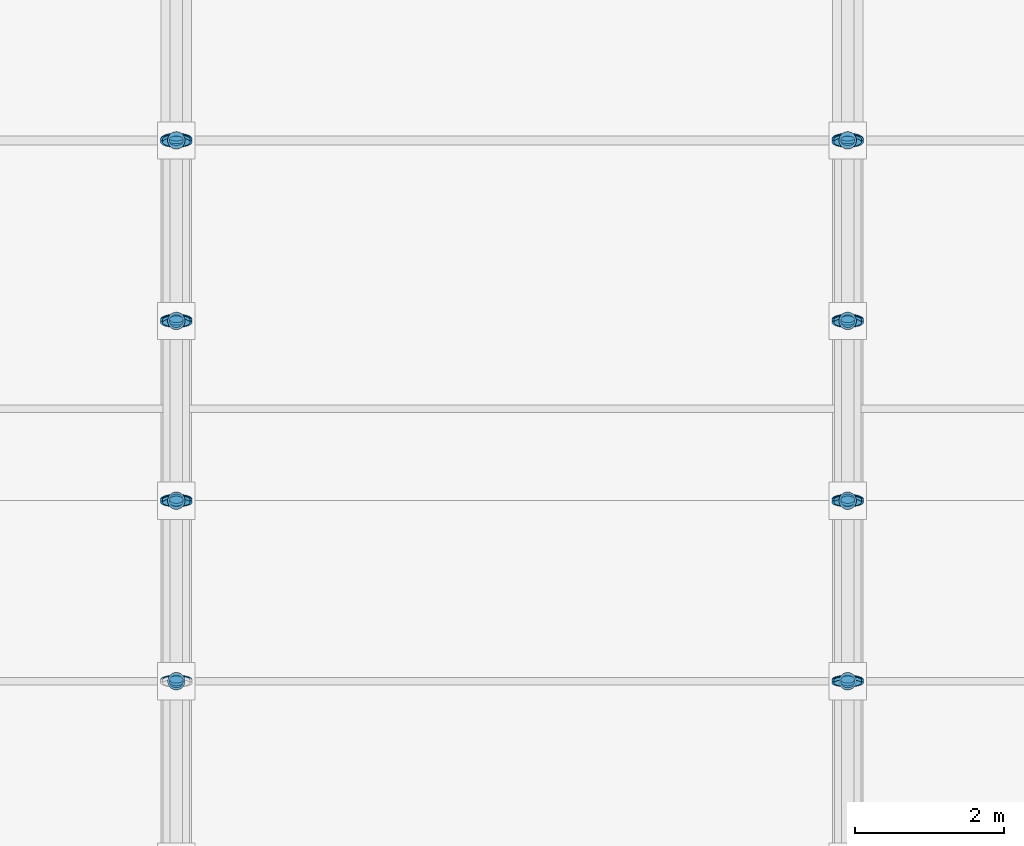
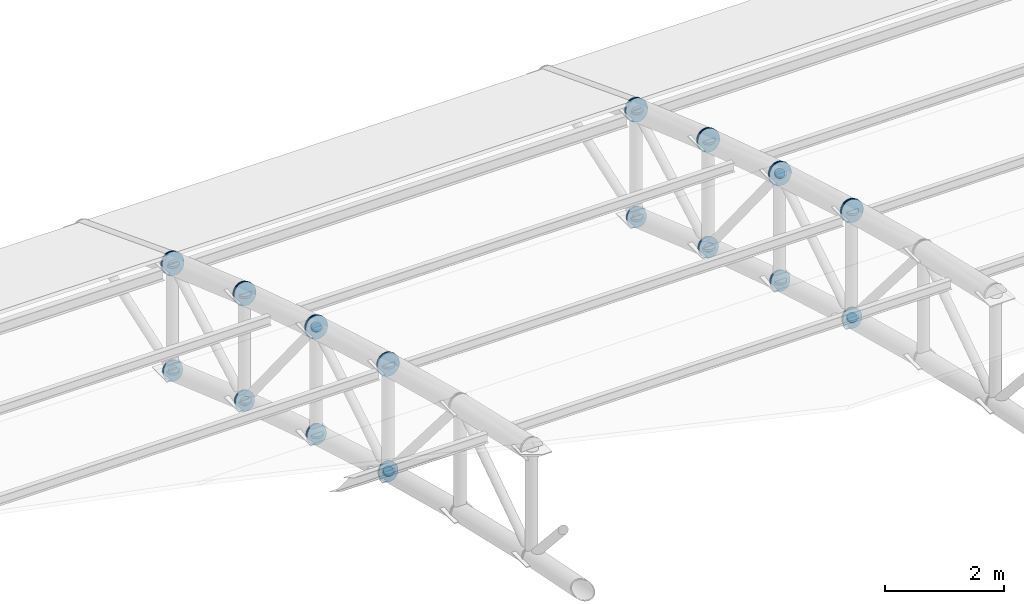
# One storey, part 160 of 195: 60 discrete accessories.
"""IFC4 building model written with IfcOpenShell, lengths in metres."""

from ifc_helpers import new_model, si_unit, direction, frame, origin, origin_2d, place, context, subcontext, project, spatial, circle, extrude, material, element, save


model = new_model("IFC4")

# Units and contexts
model_context = context("Model", 3, precision=1e-05, world=origin(), true_north=direction((0.0, 1.0)))
body_context = subcontext(model_context, "Body", "Model", "MODEL_VIEW")
ifc_project = project(units=[si_unit("LENGTHUNIT", "METRE"), si_unit("AREAUNIT", "SQUARE_METRE"), si_unit("VOLUMEUNIT", "CUBIC_METRE"), si_unit("PLANEANGLEUNIT", "RADIAN"), si_unit("MASSUNIT", "GRAM", prefix="KILO")], contexts=[model_context])

# Site, building, storey
site_placement = place(None, origin())
site = spatial("IfcSite", under=ifc_project, at=site_placement, CompositionType="ELEMENT")
building_placement = place(site_placement, origin())
building = spatial("IfcBuilding", under=site, at=building_placement, Name="Marlcrest Central Station", CompositionType="ELEMENT")
storey_placement = place(building_placement, frame((0.0, 0.0, 9.800048828125)))
storey = spatial("IfcBuildingStorey", under=building, at=storey_placement, Name="L02", CompositionType="ELEMENT", Elevation=9.800048828125)

# Discrete accessories
ifc_material = material(Name="Steel S355", Category="steel")
discrete_accessory_1_placement = place(storey_placement, frame((180.0, 88.233642578125, 1.7470703125), z_axis=(0.0, 0.649624779144, -0.760254987699), x_axis=(-1.0, 0.0, 0.0)))
element("IfcDiscreteAccessory", 1, at=discrete_accessory_1_placement, inside=storey, material=ifc_material, Name="endcap-mem-AD-01-L02-01639-e", ObjectType="END_CAP_PLATE", PredefinedType="BRACKET", context=body_context, shape_type="SweptSolid", body=[
    extrude(circle(Radius=0.092041015625, at=origin_2d()), origin(), (0.0, 0.0, 1.0), 0.0400390625),
])
for number, where, z_axis, x_axis, name in (
    (2, (180.0, 88.235595703125, 3.93212890625), (0.0, 0.960130083362, -0.27955361386), (-1.0, 0.0, 0.0), "endcap-mem-AC-01-L02-01640-s"),
    (3, (180.0, 90.64599609375, 3.23046875), (0.0, 0.960130083362, -0.27955361386), (-1.0, 0.0, 0.0), "endcap-mem-AC-01-L02-01640-e"),
):
    element("IfcDiscreteAccessory", number, at=place(storey_placement, frame(where, z_axis=z_axis, x_axis=x_axis)), inside=storey, material=ifc_material, Name=name, ObjectType="END_CAP_PLATE", PredefinedType="BRACKET", context=body_context, shape_type="SweptSolid", body=[
        extrude(circle(Radius=0.211181640625, at=origin_2d()), origin(), (0.0, 0.0, 1.0), 0.0400390625),
    ])
for number, where, z_axis, x_axis, name in (
    (4, (180.0, 88.235595703125, 1.732177734375), (0.0, 0.960130083362, -0.27955361386), (-1.0, 0.0, 0.0), "endcap-mem-AC-02-L02-01641-s"),
    (5, (180.0, 90.64599609375, 1.030517578125), (0.0, 0.960130083362, -0.27955361386), (-1.0, 0.0, 0.0), "endcap-mem-AC-02-L02-01641-e"),
):
    element("IfcDiscreteAccessory", number, at=place(storey_placement, frame(where, z_axis=z_axis, x_axis=x_axis)), inside=storey, material=ifc_material, Name=name, ObjectType="END_CAP_PLATE", PredefinedType="BRACKET", context=body_context, shape_type="SweptSolid", body=[
        extrude(circle(Radius=0.185791015625, at=origin_2d()), origin(), (0.0, 0.0, 1.0), 0.0400390625),
    ])
for number, where, z_axis, x_axis, name in (
    (6, (180.0, 88.25, 1.713134765625), (0.0, 0.0, 1.0), (1.0, 0.0, 0.0), "endcap-mem-AP-01-L02-01642-s"),
    (7, (180.0, 88.25, 3.903076171875), (0.0, 0.0, 1.0), (1.0, 0.0, 0.0), "endcap-mem-AP-01-L02-01642-e"),
):
    element("IfcDiscreteAccessory", number, at=place(storey_placement, frame(where, z_axis=z_axis, x_axis=x_axis)), inside=storey, material=ifc_material, Name=name, ObjectType="END_CAP_PLATE", PredefinedType="BRACKET", context=body_context, shape_type="SweptSolid", body=[
        extrude(circle(Radius=0.117431640625, at=origin_2d()), origin(), (0.0, 0.0, 1.0), 0.0400390625),
    ])
for number, where, z_axis, x_axis, name in (
    (8, (180.0, 88.2373046875, 1.72021484375), (0.0, 0.850687380038, 0.525671933286), (-1.0, 0.0, 0.0), "endcap-mem-AD-01-L02-01643-s"),
    (9, (180.0, 90.648681640625, 3.210205078125), (0.0, 0.850687380038, 0.525671933286), (-1.0, 0.0, 0.0), "endcap-mem-AD-01-L02-01643-e"),
):
    element("IfcDiscreteAccessory", number, at=place(storey_placement, frame(where, z_axis=z_axis, x_axis=x_axis)), inside=storey, material=ifc_material, Name=name, ObjectType="END_CAP_PLATE", PredefinedType="BRACKET", context=body_context, shape_type="SweptSolid", body=[
        extrude(circle(Radius=0.092041015625, at=origin_2d()), origin(), (0.0, 0.0, 1.0), 0.0400390625),
    ])
for number, where, z_axis, x_axis, name in (
    (10, (180.0, 90.65576171875, 3.22802734375), (0.0, 0.952116828449, -0.305734435391), (-1.0, 0.0, 0.0), "endcap-mem-AC-01-L02-01644-s"),
    (11, (180.0, 93.056396484375, 2.45703125), (0.0, 0.952116828449, -0.305734435391), (-1.0, 0.0, 0.0), "endcap-mem-AC-01-L02-01644-e"),
):
    element("IfcDiscreteAccessory", number, at=place(storey_placement, frame(where, z_axis=z_axis, x_axis=x_axis)), inside=storey, material=ifc_material, Name=name, ObjectType="END_CAP_PLATE", PredefinedType="BRACKET", context=body_context, shape_type="SweptSolid", body=[
        extrude(circle(Radius=0.211181640625, at=origin_2d()), origin(), (0.0, 0.0, 1.0), 0.0400390625),
    ])
for number, where, z_axis, x_axis, name in (
    (12, (180.0, 90.65576171875, 1.028076171875), (0.0, 0.952116828449, -0.305734435391), (-1.0, 0.0, 0.0), "endcap-mem-AC-02-L02-01645-s"),
    (13, (180.0, 93.056396484375, 0.257080078125), (0.0, 0.952116828449, -0.305734435391), (-1.0, 0.0, 0.0), "endcap-mem-AC-02-L02-01645-e"),
):
    element("IfcDiscreteAccessory", number, at=place(storey_placement, frame(where, z_axis=z_axis, x_axis=x_axis)), inside=storey, material=ifc_material, Name=name, ObjectType="END_CAP_PLATE", PredefinedType="BRACKET", context=body_context, shape_type="SweptSolid", body=[
        extrude(circle(Radius=0.185791015625, at=origin_2d()), origin(), (0.0, 0.0, 1.0), 0.0400390625),
    ])
for number, where, z_axis, x_axis, name in (
    (14, (180.0, 90.669921875, 1.008544921875), (0.0, 0.0, 1.0), (1.0, 0.0, 0.0), "endcap-mem-AP-01-L02-01646-s"),
    (15, (180.0, 90.669921875, 3.198486328125), (0.0, 0.0, 1.0), (1.0, 0.0, 0.0), "endcap-mem-AP-01-L02-01646-e"),
):
    element("IfcDiscreteAccessory", number, at=place(storey_placement, frame(where, z_axis=z_axis, x_axis=x_axis)), inside=storey, material=ifc_material, Name=name, ObjectType="END_CAP_PLATE", PredefinedType="BRACKET", context=body_context, shape_type="SweptSolid", body=[
        extrude(circle(Radius=0.117431640625, at=origin_2d()), origin(), (0.0, 0.0, 1.0), 0.0400390625),
    ])
for number, where, z_axis, x_axis, name in (
    (16, (180.0, 90.660400390625, 3.235107421875), (0.0, 0.62962929743, -0.776895712318), (-1.0, 0.0, 0.0), "endcap-mem-AD-01-L02-01647-s"),
    (17, (180.0, 93.064453125, 0.26904296875), (0.0, 0.62962929743, -0.776895712318), (-1.0, 0.0, 0.0), "endcap-mem-AD-01-L02-01647-e"),
):
    element("IfcDiscreteAccessory", number, at=place(storey_placement, frame(where, z_axis=z_axis, x_axis=x_axis)), inside=storey, material=ifc_material, Name=name, ObjectType="END_CAP_PLATE", PredefinedType="BRACKET", context=body_context, shape_type="SweptSolid", body=[
        extrude(circle(Radius=0.092041015625, at=origin_2d()), origin(), (0.0, 0.0, 1.0), 0.0400390625),
    ])
for number, where, z_axis, x_axis, name in (
    (18, (180.0, 93.06591796875, 2.454345703125), (0.0, 0.94353735649, -0.331266142109), (-1.0, 0.0, 0.0), "endcap-mem-AC-01-L02-01648-s"),
    (19, (180.0, 95.476318359375, 1.608154296875), (0.0, 0.94353735649, -0.331266142109), (-1.0, 0.0, 0.0), "endcap-mem-AC-01-L02-01648-e"),
):
    element("IfcDiscreteAccessory", number, at=place(storey_placement, frame(where, z_axis=z_axis, x_axis=x_axis)), inside=storey, material=ifc_material, Name=name, ObjectType="END_CAP_PLATE", PredefinedType="BRACKET", context=body_context, shape_type="SweptSolid", body=[
        extrude(circle(Radius=0.211181640625, at=origin_2d()), origin(), (0.0, 0.0, 1.0), 0.0400390625),
    ])
for number, where, z_axis, x_axis, name in (
    (20, (180.0, 93.06591796875, 0.25439453125), (0.0, 0.94353735649, -0.331266142109), (-1.0, 0.0, 0.0), "endcap-mem-AC-02-L02-01649-s"),
    (21, (180.0, 95.476318359375, -0.591796875), (0.0, 0.94353735649, -0.331266142109), (-1.0, 0.0, 0.0), "endcap-mem-AC-02-L02-01649-e"),
):
    element("IfcDiscreteAccessory", number, at=place(storey_placement, frame(where, z_axis=z_axis, x_axis=x_axis)), inside=storey, material=ifc_material, Name=name, ObjectType="END_CAP_PLATE", PredefinedType="BRACKET", context=body_context, shape_type="SweptSolid", body=[
        extrude(circle(Radius=0.185791015625, at=origin_2d()), origin(), (0.0, 0.0, 1.0), 0.0400390625),
    ])
for number, where, z_axis, x_axis, name in (
    (22, (180.0, 93.080078125, 0.234619140625), (0.0, 0.0, 1.0), (1.0, 0.0, 0.0), "endcap-mem-AP-01-L02-01650-s"),
    (23, (180.0, 93.080078125, 2.424560546875), (0.0, 0.0, 1.0), (1.0, 0.0, 0.0), "endcap-mem-AP-01-L02-01650-e"),
):
    element("IfcDiscreteAccessory", number, at=place(storey_placement, frame(where, z_axis=z_axis, x_axis=x_axis)), inside=storey, material=ifc_material, Name=name, ObjectType="END_CAP_PLATE", PredefinedType="BRACKET", context=body_context, shape_type="SweptSolid", body=[
        extrude(circle(Radius=0.117431640625, at=origin_2d()), origin(), (0.0, 0.0, 1.0), 0.0400390625),
    ])
for number, where, z_axis, x_axis, name in (
    (24, (180.0, 93.06689453125, 0.2421875), (0.0, 0.873245653167, 0.487280236851), (-1.0, 0.0, 0.0), "endcap-mem-AD-01-L02-01651-s"),
    (25, (180.0, 95.478271484375, 1.587646484375), (0.0, 0.873245653167, 0.487280236851), (-1.0, 0.0, 0.0), "endcap-mem-AD-01-L02-01651-e"),
):
    element("IfcDiscreteAccessory", number, at=place(storey_placement, frame(where, z_axis=z_axis, x_axis=x_axis)), inside=storey, material=ifc_material, Name=name, ObjectType="END_CAP_PLATE", PredefinedType="BRACKET", context=body_context, shape_type="SweptSolid", body=[
        extrude(circle(Radius=0.092041015625, at=origin_2d()), origin(), (0.0, 0.0, 1.0), 0.0400390625),
    ])
discrete_accessory_2_placement = place(storey_placement, frame((180.0, 95.486083984375, 1.605224609375), z_axis=(0.0, 0.933324071143, -0.359035065453), x_axis=(-1.0, 0.0, 0.0)))
element("IfcDiscreteAccessory", 26, at=discrete_accessory_2_placement, inside=storey, material=ifc_material, Name="endcap-mem-AC-01-L02-01652-s", ObjectType="END_CAP_PLATE", PredefinedType="BRACKET", context=body_context, shape_type="SweptSolid", body=[
    extrude(circle(Radius=0.211181640625, at=origin_2d()), origin(), (0.0, 0.0, 1.0), 0.0400390625),
])
for number, where, z_axis, x_axis, name in (
    (27, (180.0, 95.5, -0.614990234375), (0.0, 0.0, 1.0), (1.0, 0.0, 0.0), "endcap-mem-AP-01-L02-01653-s"),
    (28, (180.0, 95.5, 1.574951171875), (0.0, 0.0, 1.0), (1.0, 0.0, 0.0), "endcap-mem-AP-01-L02-01653-e"),
):
    element("IfcDiscreteAccessory", number, at=place(storey_placement, frame(where, z_axis=z_axis, x_axis=x_axis)), inside=storey, material=ifc_material, Name=name, ObjectType="END_CAP_PLATE", PredefinedType="BRACKET", context=body_context, shape_type="SweptSolid", body=[
        extrude(circle(Radius=0.117431640625, at=origin_2d()), origin(), (0.0, 0.0, 1.0), 0.0400390625),
    ])
discrete_accessory_3_placement = place(storey_placement, frame((180.0, 95.48583984375, -0.60498046875), z_axis=(0.0, 0.944260188635, 0.329200085296), x_axis=(-1.0, 0.0, 0.0)))
element("IfcDiscreteAccessory", 29, at=discrete_accessory_3_placement, inside=storey, material=ifc_material, Name="endcap-mem-AD-01-L02-01654-s", ObjectType="END_CAP_PLATE", PredefinedType="BRACKET", context=body_context, shape_type="SweptSolid", body=[
    extrude(circle(Radius=0.092041015625, at=origin_2d()), origin(), (0.0, 0.0, 1.0), 0.0400390625),
])
discrete_accessory_4_placement = place(storey_placement, frame((189.0, 88.225830078125, 3.934326171875), z_axis=(0.0, 0.967539481681, -0.252719906989), x_axis=(-1.0, 0.0, 0.0)))
element("IfcDiscreteAccessory", 30, at=discrete_accessory_4_placement, inside=storey, material=ifc_material, Name="endcap-mem-AC-01-L02-01752-e", ObjectType="END_CAP_PLATE", PredefinedType="BRACKET", context=body_context, shape_type="SweptSolid", body=[
    extrude(circle(Radius=0.211181640625, at=origin_2d()), origin(), (0.0, 0.0, 1.0), 0.0400390625),
])
discrete_accessory_5_placement = place(storey_placement, frame((189.0, 88.225830078125, 1.734375), z_axis=(0.0, 0.967563345928, -0.252628524946), x_axis=(-1.0, 0.0, 0.0)))
element("IfcDiscreteAccessory", 31, at=discrete_accessory_5_placement, inside=storey, material=ifc_material, Name="endcap-mem-AC-02-L02-01753-e", ObjectType="END_CAP_PLATE", PredefinedType="BRACKET", context=body_context, shape_type="SweptSolid", body=[
    extrude(circle(Radius=0.185791015625, at=origin_2d()), origin(), (0.0, 0.0, 1.0), 0.0400390625),
])
discrete_accessory_6_placement = place(storey_placement, frame((189.0, 88.233642578125, 1.7470703125), z_axis=(0.0, 0.649624779144, -0.760254987699), x_axis=(-1.0, 0.0, 0.0)))
element("IfcDiscreteAccessory", 32, at=discrete_accessory_6_placement, inside=storey, material=ifc_material, Name="endcap-mem-AD-01-L02-01755-e", ObjectType="END_CAP_PLATE", PredefinedType="BRACKET", context=body_context, shape_type="SweptSolid", body=[
    extrude(circle(Radius=0.092041015625, at=origin_2d()), origin(), (0.0, 0.0, 1.0), 0.0400390625),
])
for number, where, z_axis, x_axis, name in (
    (33, (189.0, 88.235595703125, 3.93212890625), (0.0, 0.960130083362, -0.27955361386), (-1.0, 0.0, 0.0), "endcap-mem-AC-01-L02-01756-s"),
    (34, (189.0, 90.64599609375, 3.23046875), (0.0, 0.960130083362, -0.27955361386), (-1.0, 0.0, 0.0), "endcap-mem-AC-01-L02-01756-e"),
):
    element("IfcDiscreteAccessory", number, at=place(storey_placement, frame(where, z_axis=z_axis, x_axis=x_axis)), inside=storey, material=ifc_material, Name=name, ObjectType="END_CAP_PLATE", PredefinedType="BRACKET", context=body_context, shape_type="SweptSolid", body=[
        extrude(circle(Radius=0.211181640625, at=origin_2d()), origin(), (0.0, 0.0, 1.0), 0.0400390625),
    ])
for number, where, z_axis, x_axis, name in (
    (35, (189.0, 88.235595703125, 1.732177734375), (0.0, 0.960130083362, -0.27955361386), (-1.0, 0.0, 0.0), "endcap-mem-AC-02-L02-01757-s"),
    (36, (189.0, 90.64599609375, 1.030517578125), (0.0, 0.960130083362, -0.27955361386), (-1.0, 0.0, 0.0), "endcap-mem-AC-02-L02-01757-e"),
):
    element("IfcDiscreteAccessory", number, at=place(storey_placement, frame(where, z_axis=z_axis, x_axis=x_axis)), inside=storey, material=ifc_material, Name=name, ObjectType="END_CAP_PLATE", PredefinedType="BRACKET", context=body_context, shape_type="SweptSolid", body=[
        extrude(circle(Radius=0.185791015625, at=origin_2d()), origin(), (0.0, 0.0, 1.0), 0.0400390625),
    ])
for number, where, z_axis, x_axis, name in (
    (37, (189.0, 88.25, 1.713134765625), (0.0, 0.0, 1.0), (1.0, 0.0, 0.0), "endcap-mem-AP-01-L02-01758-s"),
    (38, (189.0, 88.25, 3.903076171875), (0.0, 0.0, 1.0), (1.0, 0.0, 0.0), "endcap-mem-AP-01-L02-01758-e"),
):
    element("IfcDiscreteAccessory", number, at=place(storey_placement, frame(where, z_axis=z_axis, x_axis=x_axis)), inside=storey, material=ifc_material, Name=name, ObjectType="END_CAP_PLATE", PredefinedType="BRACKET", context=body_context, shape_type="SweptSolid", body=[
        extrude(circle(Radius=0.117431640625, at=origin_2d()), origin(), (0.0, 0.0, 1.0), 0.0400390625),
    ])
for number, where, z_axis, x_axis, name in (
    (39, (189.0, 88.2373046875, 1.72021484375), (0.0, 0.850687380038, 0.525671933286), (-1.0, 0.0, 0.0), "endcap-mem-AD-01-L02-01759-s"),
    (40, (189.0, 90.648681640625, 3.210205078125), (0.0, 0.850687380038, 0.525671933286), (-1.0, 0.0, 0.0), "endcap-mem-AD-01-L02-01759-e"),
):
    element("IfcDiscreteAccessory", number, at=place(storey_placement, frame(where, z_axis=z_axis, x_axis=x_axis)), inside=storey, material=ifc_material, Name=name, ObjectType="END_CAP_PLATE", PredefinedType="BRACKET", context=body_context, shape_type="SweptSolid", body=[
        extrude(circle(Radius=0.092041015625, at=origin_2d()), origin(), (0.0, 0.0, 1.0), 0.0400390625),
    ])
for number, where, z_axis, x_axis, name in (
    (41, (189.0, 90.65576171875, 3.22802734375), (0.0, 0.952116828449, -0.305734435391), (-1.0, 0.0, 0.0), "endcap-mem-AC-01-L02-01760-s"),
    (42, (189.0, 93.056396484375, 2.45703125), (0.0, 0.952116828449, -0.305734435391), (-1.0, 0.0, 0.0), "endcap-mem-AC-01-L02-01760-e"),
):
    element("IfcDiscreteAccessory", number, at=place(storey_placement, frame(where, z_axis=z_axis, x_axis=x_axis)), inside=storey, material=ifc_material, Name=name, ObjectType="END_CAP_PLATE", PredefinedType="BRACKET", context=body_context, shape_type="SweptSolid", body=[
        extrude(circle(Radius=0.211181640625, at=origin_2d()), origin(), (0.0, 0.0, 1.0), 0.0400390625),
    ])
for number, where, z_axis, x_axis, name in (
    (43, (189.0, 90.65576171875, 1.028076171875), (0.0, 0.952116828449, -0.305734435391), (-1.0, 0.0, 0.0), "endcap-mem-AC-02-L02-01761-s"),
    (44, (189.0, 93.056396484375, 0.257080078125), (0.0, 0.952116828449, -0.305734435391), (-1.0, 0.0, 0.0), "endcap-mem-AC-02-L02-01761-e"),
):
    element("IfcDiscreteAccessory", number, at=place(storey_placement, frame(where, z_axis=z_axis, x_axis=x_axis)), inside=storey, material=ifc_material, Name=name, ObjectType="END_CAP_PLATE", PredefinedType="BRACKET", context=body_context, shape_type="SweptSolid", body=[
        extrude(circle(Radius=0.185791015625, at=origin_2d()), origin(), (0.0, 0.0, 1.0), 0.0400390625),
    ])
for number, where, z_axis, x_axis, name in (
    (45, (189.0, 90.669921875, 1.008544921875), (0.0, 0.0, 1.0), (1.0, 0.0, 0.0), "endcap-mem-AP-01-L02-01762-s"),
    (46, (189.0, 90.669921875, 3.198486328125), (0.0, 0.0, 1.0), (1.0, 0.0, 0.0), "endcap-mem-AP-01-L02-01762-e"),
):
    element("IfcDiscreteAccessory", number, at=place(storey_placement, frame(where, z_axis=z_axis, x_axis=x_axis)), inside=storey, material=ifc_material, Name=name, ObjectType="END_CAP_PLATE", PredefinedType="BRACKET", context=body_context, shape_type="SweptSolid", body=[
        extrude(circle(Radius=0.117431640625, at=origin_2d()), origin(), (0.0, 0.0, 1.0), 0.0400390625),
    ])
for number, where, z_axis, x_axis, name in (
    (47, (189.0, 90.660400390625, 3.235107421875), (0.0, 0.62962929743, -0.776895712318), (-1.0, 0.0, 0.0), "endcap-mem-AD-01-L02-01763-s"),
    (48, (189.0, 93.064453125, 0.26904296875), (0.0, 0.62962929743, -0.776895712318), (-1.0, 0.0, 0.0), "endcap-mem-AD-01-L02-01763-e"),
):
    element("IfcDiscreteAccessory", number, at=place(storey_placement, frame(where, z_axis=z_axis, x_axis=x_axis)), inside=storey, material=ifc_material, Name=name, ObjectType="END_CAP_PLATE", PredefinedType="BRACKET", context=body_context, shape_type="SweptSolid", body=[
        extrude(circle(Radius=0.092041015625, at=origin_2d()), origin(), (0.0, 0.0, 1.0), 0.0400390625),
    ])
for number, where, z_axis, x_axis, name in (
    (49, (189.0, 93.06591796875, 2.454345703125), (0.0, 0.94353735649, -0.331266142109), (-1.0, 0.0, 0.0), "endcap-mem-AC-01-L02-01764-s"),
    (50, (189.0, 95.476318359375, 1.608154296875), (0.0, 0.94353735649, -0.331266142109), (-1.0, 0.0, 0.0), "endcap-mem-AC-01-L02-01764-e"),
):
    element("IfcDiscreteAccessory", number, at=place(storey_placement, frame(where, z_axis=z_axis, x_axis=x_axis)), inside=storey, material=ifc_material, Name=name, ObjectType="END_CAP_PLATE", PredefinedType="BRACKET", context=body_context, shape_type="SweptSolid", body=[
        extrude(circle(Radius=0.211181640625, at=origin_2d()), origin(), (0.0, 0.0, 1.0), 0.0400390625),
    ])
for number, where, z_axis, x_axis, name in (
    (51, (189.0, 93.06591796875, 0.25439453125), (0.0, 0.94353735649, -0.331266142109), (-1.0, 0.0, 0.0), "endcap-mem-AC-02-L02-01765-s"),
    (52, (189.0, 95.476318359375, -0.591796875), (0.0, 0.94353735649, -0.331266142109), (-1.0, 0.0, 0.0), "endcap-mem-AC-02-L02-01765-e"),
):
    element("IfcDiscreteAccessory", number, at=place(storey_placement, frame(where, z_axis=z_axis, x_axis=x_axis)), inside=storey, material=ifc_material, Name=name, ObjectType="END_CAP_PLATE", PredefinedType="BRACKET", context=body_context, shape_type="SweptSolid", body=[
        extrude(circle(Radius=0.185791015625, at=origin_2d()), origin(), (0.0, 0.0, 1.0), 0.0400390625),
    ])
for number, where, z_axis, x_axis, name in (
    (53, (189.0, 93.080078125, 0.234619140625), (0.0, 0.0, 1.0), (1.0, 0.0, 0.0), "endcap-mem-AP-01-L02-01766-s"),
    (54, (189.0, 93.080078125, 2.424560546875), (0.0, 0.0, 1.0), (1.0, 0.0, 0.0), "endcap-mem-AP-01-L02-01766-e"),
):
    element("IfcDiscreteAccessory", number, at=place(storey_placement, frame(where, z_axis=z_axis, x_axis=x_axis)), inside=storey, material=ifc_material, Name=name, ObjectType="END_CAP_PLATE", PredefinedType="BRACKET", context=body_context, shape_type="SweptSolid", body=[
        extrude(circle(Radius=0.117431640625, at=origin_2d()), origin(), (0.0, 0.0, 1.0), 0.0400390625),
    ])
for number, where, z_axis, x_axis, name in (
    (55, (189.0, 93.06689453125, 0.2421875), (0.0, 0.873245653167, 0.487280236851), (-1.0, 0.0, 0.0), "endcap-mem-AD-01-L02-01767-s"),
    (56, (189.0, 95.478271484375, 1.587646484375), (0.0, 0.873245653167, 0.487280236851), (-1.0, 0.0, 0.0), "endcap-mem-AD-01-L02-01767-e"),
):
    element("IfcDiscreteAccessory", number, at=place(storey_placement, frame(where, z_axis=z_axis, x_axis=x_axis)), inside=storey, material=ifc_material, Name=name, ObjectType="END_CAP_PLATE", PredefinedType="BRACKET", context=body_context, shape_type="SweptSolid", body=[
        extrude(circle(Radius=0.092041015625, at=origin_2d()), origin(), (0.0, 0.0, 1.0), 0.0400390625),
    ])
discrete_accessory_7_placement = place(storey_placement, frame((189.0, 95.486083984375, 1.605224609375), z_axis=(0.0, 0.933324071143, -0.359035065453), x_axis=(-1.0, 0.0, 0.0)))
element("IfcDiscreteAccessory", 57, at=discrete_accessory_7_placement, inside=storey, material=ifc_material, Name="endcap-mem-AC-01-L02-01768-s", ObjectType="END_CAP_PLATE", PredefinedType="BRACKET", context=body_context, shape_type="SweptSolid", body=[
    extrude(circle(Radius=0.211181640625, at=origin_2d()), origin(), (0.0, 0.0, 1.0), 0.0400390625),
])
for number, where, z_axis, x_axis, name in (
    (58, (189.0, 95.5, -0.614990234375), (0.0, 0.0, 1.0), (1.0, 0.0, 0.0), "endcap-mem-AP-01-L02-01769-s"),
    (59, (189.0, 95.5, 1.574951171875), (0.0, 0.0, 1.0), (1.0, 0.0, 0.0), "endcap-mem-AP-01-L02-01769-e"),
):
    element("IfcDiscreteAccessory", number, at=place(storey_placement, frame(where, z_axis=z_axis, x_axis=x_axis)), inside=storey, material=ifc_material, Name=name, ObjectType="END_CAP_PLATE", PredefinedType="BRACKET", context=body_context, shape_type="SweptSolid", body=[
        extrude(circle(Radius=0.117431640625, at=origin_2d()), origin(), (0.0, 0.0, 1.0), 0.0400390625),
    ])
discrete_accessory_8_placement = place(storey_placement, frame((189.0, 95.48583984375, -0.60498046875), z_axis=(0.0, 0.944260188635, 0.329200085296), x_axis=(-1.0, 0.0, 0.0)))
element("IfcDiscreteAccessory", 60, at=discrete_accessory_8_placement, inside=storey, material=ifc_material, Name="endcap-mem-AD-01-L02-01770-s", ObjectType="END_CAP_PLATE", PredefinedType="BRACKET", context=body_context, shape_type="SweptSolid", body=[
    extrude(circle(Radius=0.092041015625, at=origin_2d()), origin(), (0.0, 0.0, 1.0), 0.0400390625),
])

save(model, "model.ifc")
